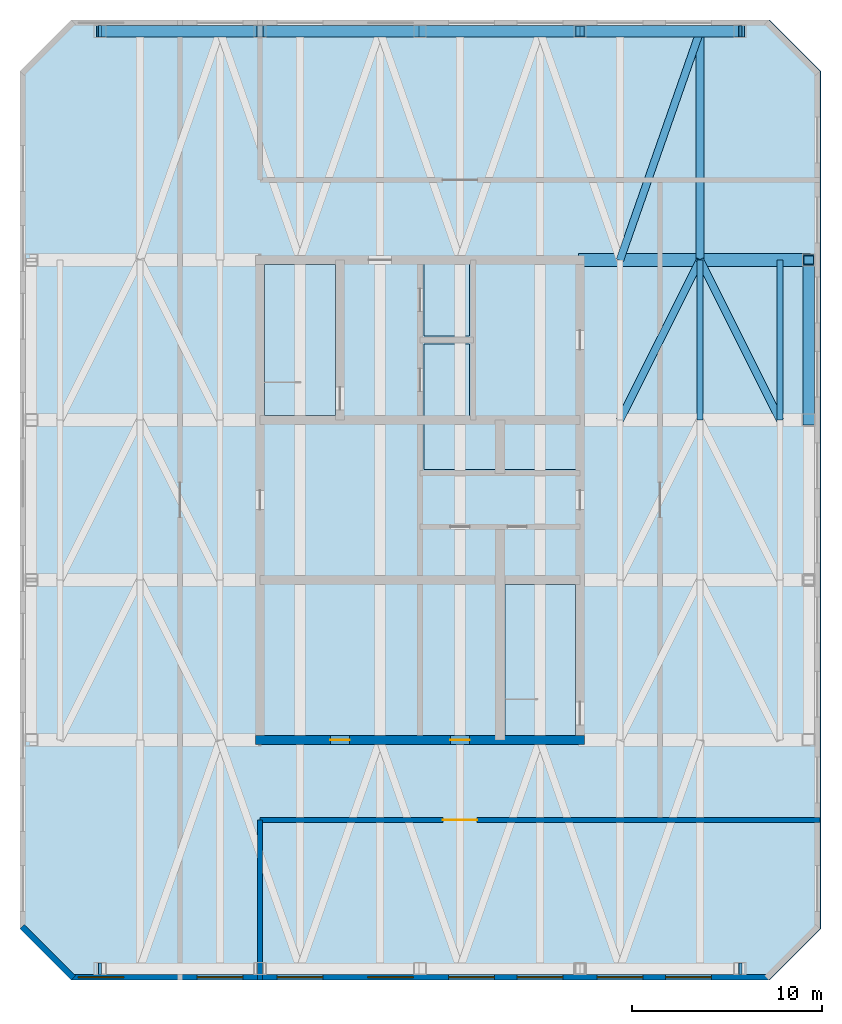
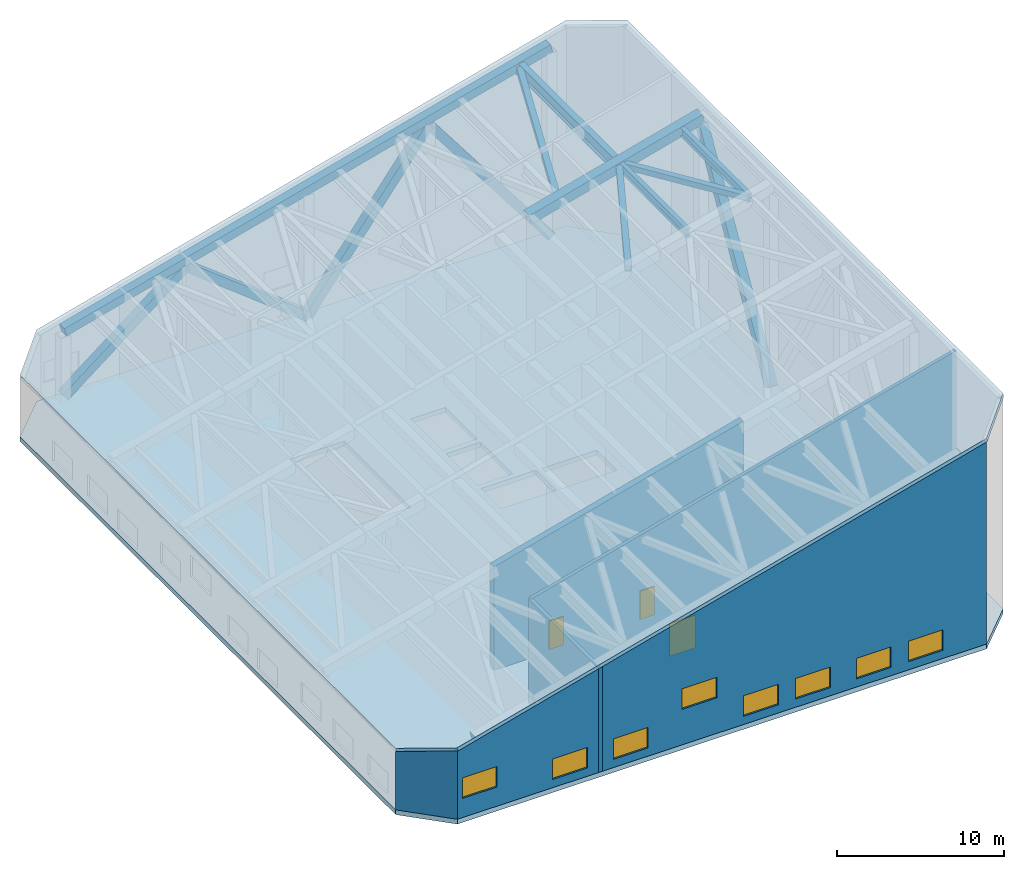
# One storey, part 2 of 5: 15 members, 8 windows, 5 walls, 3 doors, 2 beams, 2 slabs, 11 openings.
"""IFC4 building model written with IfcOpenShell, lengths in metres."""

from ifc_helpers import new_model, si_unit, direction, frame, frame_2d, origin, origin_2d, place, context, subcontext, project, spatial, polyline, rectangle, hollow_rectangle, i_section, outline, extrude, material, layer, layer_set, material_profile, profile_set, type_object, element, fill, save


model = new_model("IFC4")

# Units and contexts
model_context = context("Model", 3, precision=1e-05, world=origin(), true_north=direction((0.0, 1.0)))
body_context = subcontext(model_context, "Body", "Model", "MODEL_VIEW")
ifc_project = project(units=[si_unit("LENGTHUNIT", "METRE"), si_unit("AREAUNIT", "SQUARE_METRE"), si_unit("VOLUMEUNIT", "CUBIC_METRE"), si_unit("PLANEANGLEUNIT", "RADIAN"), si_unit("MASSUNIT", "GRAM", prefix="KILO")], contexts=[model_context])

# Site, building, storey
site_placement = place(None, origin())
site = spatial("IfcSite", under=ifc_project, at=site_placement, CompositionType="ELEMENT")
building_placement = place(site_placement, origin())
building = spatial("IfcBuilding", under=site, at=building_placement, Name="Dunama Terrace Hotel", CompositionType="ELEMENT")
storey_placement = place(building_placement, frame((0.0, 0.0, 293.60009765625)))
storey = spatial("IfcBuildingStorey", under=building, at=storey_placement, Name="L75", CompositionType="ELEMENT", Elevation=293.60009765625)

# Members
ifc_material_1 = material(Name="Steel S355", Category="steel")
ifc_material_profile_1 = material_profile(ifc_material_1, hollow_rectangle(XDim=0.60009765625, YDim=0.60009765625, WallThickness=0.050048828125, at=origin_2d()), Name="BOX 600x600x50")
ifc_profile_set_1 = profile_set([ifc_material_profile_1], Name="Steel S355")
member_type_1 = type_object("IfcMemberType", Name="Brace BOX 600x600x50", PredefinedType="BRACE", material=ifc_profile_set_1)
member_1_placement = place(storey_placement, frame((16.800048828125, 54.0, 0.2998046875), z_axis=(0.788276481647, 0.0, 0.615321207568), x_axis=(0.0, 1.0, 0.0)))
element("IfcMember", 1, at=member_1_placement, inside=storey, type_object=member_type_1, Name="Crown brace", PredefinedType="BRACE", context=body_context, shape_type="SweptSolid", body=[
    extrude(hollow_rectangle(XDim=0.60009765625, YDim=0.60009765625, WallThickness=0.050048828125, at=origin_2d()), origin(), (0.0, 0.0, 1.0), 10.656005859375),
])
member_2_placement = place(storey_placement, frame((33.60009765625, 54.0, 0.2998046875), z_axis=(-0.788285155986, 0.0, 0.615310094873), x_axis=(0.0, -1.0, 0.0)))
element("IfcMember", 2, at=member_2_placement, inside=storey, type_object=member_type_1, Name="Crown brace", PredefinedType="BRACE", context=body_context, shape_type="SweptSolid", body=[
    extrude(hollow_rectangle(XDim=0.60009765625, YDim=0.60009765625, WallThickness=0.050048828125, at=origin_2d()), origin(), (0.0, 0.0, 1.0), 10.65625),
])
for number, where, z_axis, x_axis, name in (
    (3, (33.60009765625, 54.0, 0.2998046875), (0.604880428339, 0.0, 0.796316311156), (0.0, 1.0, 0.0), "Crown brace"),
    (4, (50.39990234375, 54.0, 0.2998046875), (-0.604880428339, 0.0, 0.796316311156), (0.0, -1.0, 0.0), "Crown brace"),
):
    element("IfcMember", number, at=place(storey_placement, frame(where, z_axis=z_axis, x_axis=x_axis)), inside=storey, type_object=member_type_1, Name=name, PredefinedType="BRACE", context=body_context, shape_type="SweptSolid", body=[
        extrude(hollow_rectangle(XDim=0.60009765625, YDim=0.60009765625, WallThickness=0.050048828125, at=origin_2d()), origin(), (0.0, 0.0, 1.0), 13.886962890625),
    ])
member_3_placement = place(storey_placement, frame((54.0, 33.60009765625, 0.2998046875), z_axis=(0.0, 0.509874694913, 0.860248682352), x_axis=(-1.0, 0.0, 0.0)))
element("IfcMember", 5, at=member_3_placement, inside=storey, type_object=member_type_1, Name="Crown brace", PredefinedType="BRACE", context=body_context, shape_type="SweptSolid", body=[
    extrude(hollow_rectangle(XDim=0.60009765625, YDim=0.60009765625, WallThickness=0.050048828125, at=origin_2d()), origin(), (0.0, 0.0, 1.0), 16.474365234375),
])
ifc_material_2 = material(Name="Steel S355", Category="steel")
ifc_material_profile_2 = material_profile(ifc_material_2, hollow_rectangle(XDim=0.39990234375, YDim=0.39990234375, WallThickness=0.02001953125, at=origin_2d()), Name="SHS 400x400x20")
ifc_profile_set_2 = profile_set([ifc_material_profile_2], Name="Steel S355")
member_type_2 = type_object("IfcMemberType", Name="Brace SHS 400x400x20", PredefinedType="BRACE", material=ifc_profile_set_2)
for number, where, z_axis, x_axis, name in (
    (6, (44.10009765625, 33.60009765625, 12.371337890625), (0.44403627598, 0.88807255196, 0.118991294092), (-0.894427191, 0.4472135955, 0.0), "Crown roof plan brace"),
    (7, (48.300048828125, 42.0, 13.496826171875), (0.44403627598, -0.88807255196, 0.118991294092), (0.894427191, 0.4472135955, 0.0), "Crown roof plan brace"),
):
    element("IfcMember", number, at=place(storey_placement, frame(where, z_axis=z_axis, x_axis=x_axis)), inside=storey, type_object=member_type_2, Name=name, PredefinedType="BRACE", context=body_context, shape_type="SweptSolid", body=[
        extrude(hollow_rectangle(XDim=0.39990234375, YDim=0.39990234375, WallThickness=0.02001953125, at=origin_2d()), origin(), (0.0, 0.0, 1.0), 9.45849609375),
    ])
member_4_placement = place(storey_placement, frame((44.10009765625, 42.0, 12.220947265625), z_axis=(0.329060143784, 0.940182769706, 0.088180390795), x_axis=(-0.943859553866, 0.330347003279, 0.0)))
element("IfcMember", 8, at=member_4_placement, inside=storey, type_object=member_type_2, Name="Crown roof plan brace", PredefinedType="BRACE", context=body_context, shape_type="SweptSolid", body=[
    extrude(hollow_rectangle(XDim=0.39990234375, YDim=0.39990234375, WallThickness=0.02001953125, at=origin_2d()), origin(), (0.0, 0.0, 1.0), 12.763427734375),
])
ifc_material_3 = material(Name="Steel S355", Category="steel")
ifc_material_profile_3 = material_profile(ifc_material_3, rectangle(XDim=0.60009765625, YDim=0.60009765625, at=origin_2d()), Name="PL 600X600")
ifc_profile_set_3 = profile_set([ifc_material_profile_3], Name="Steel S355")
member_type_3 = type_object("IfcMemberType", Name="End plate BOX 600x600x50", PredefinedType="MEMBER", material=ifc_profile_set_3)
member_5_placement = place(storey_placement, frame((16.77587890625, 4.800048828125, 5.04931640625), z_axis=(0.964763821238, 0.0, 0.263117405792), x_axis=(0.0, 1.0, 0.0)))
element("IfcMember", 9, at=member_5_placement, inside=storey, type_object=member_type_3, Name="Crown rafter end plate", PredefinedType="MEMBER", context=body_context, shape_type="SweptSolid", body=[
    extrude(rectangle(XDim=0.60009765625, YDim=0.60009765625, at=origin_2d()), origin(), (0.0, 0.0, 1.0), 0.025146484375),
])
member_6_placement = place(storey_placement, frame((50.39990234375, 4.800048828125, 14.05908203125), z_axis=(0.967200968303, 0.0, 0.254012375514), x_axis=(0.0, 1.0, 0.0)))
element("IfcMember", 10, at=member_6_placement, inside=storey, type_object=member_type_3, Name="Crown rafter end plate", PredefinedType="MEMBER", context=body_context, shape_type="SweptSolid", body=[
    extrude(rectangle(XDim=0.60009765625, YDim=0.60009765625, at=origin_2d()), origin(), (0.0, 0.0, 1.0), 0.02490234375),
])
member_7_placement = place(storey_placement, frame((16.77587890625, 54.0, 5.04931640625), z_axis=(0.964763821238, 0.0, 0.263117405792), x_axis=(0.0, 1.0, 0.0)))
element("IfcMember", 11, at=member_7_placement, inside=storey, type_object=member_type_3, Name="Crown rafter end plate", PredefinedType="MEMBER", context=body_context, shape_type="SweptSolid", body=[
    extrude(rectangle(XDim=0.60009765625, YDim=0.60009765625, at=origin_2d()), origin(), (0.0, 0.0, 1.0), 0.025146484375),
])
member_8_placement = place(storey_placement, frame((50.39990234375, 54.0, 14.05908203125), z_axis=(0.967200968303, 0.0, 0.254012375514), x_axis=(0.0, 1.0, 0.0)))
element("IfcMember", 12, at=member_8_placement, inside=storey, type_object=member_type_3, Name="Crown rafter end plate", PredefinedType="MEMBER", context=body_context, shape_type="SweptSolid", body=[
    extrude(rectangle(XDim=0.60009765625, YDim=0.60009765625, at=origin_2d()), origin(), (0.0, 0.0, 1.0), 0.02490234375),
])
ifc_material_4 = material(Name="Steel S355", Category="steel")
ifc_material_profile_4 = material_profile(ifc_material_4, i_section(OverallWidth=0.30712890625, OverallDepth=0.6201171875, WebThickness=0.01416015625, FlangeThickness=0.023681640625, FilletRadius=0.0166015625, at=origin_2d()), Name="UB 610x305x179")
ifc_profile_set_4 = profile_set([ifc_material_profile_4], Name="Steel S355")
member_type_4 = type_object("IfcMemberType", Name="Purlin UB 610x305x179", PredefinedType="PURLIN", material=ifc_profile_set_4)
for number, where, z_axis, x_axis, name in (
    (13, (48.300048828125, 33.60009765625, 13.45556640625), (0.0, 1.0, 0.0), (-1.0, 0.0, 0.0), "Crown purlin"),
    (14, (52.5, 33.60009765625, 14.5810546875), (0.0, 1.0, 0.0), (-1.0, 0.0, 0.0), "Crown purlin"),
):
    element("IfcMember", number, at=place(storey_placement, frame(where, z_axis=z_axis, x_axis=x_axis)), inside=storey, type_object=member_type_4, Name=name, PredefinedType="PURLIN", context=body_context, shape_type="SweptSolid", body=[
        extrude(i_section(OverallWidth=0.30712890625, OverallDepth=0.6201171875, WebThickness=0.01416015625, FlangeThickness=0.023681640625, FilletRadius=0.0166015625, at=origin_2d()), origin(), (0.0, 0.0, 1.0), 8.39990234375),
    ])
ifc_material_5 = material(Name="Steel S355", Category="steel")
ifc_material_profile_5 = material_profile(ifc_material_5, i_section(OverallWidth=0.42041015625, OverallDepth=0.9208984375, WebThickness=0.021484375, FlangeThickness=0.03662109375, FilletRadius=0.024169921875, at=origin_2d()), Name="UB 914x419x388")
ifc_profile_set_5 = profile_set([ifc_material_profile_5], Name="Steel S355")
member_type_5 = type_object("IfcMemberType", Name="Purlin UB 914x419x388", PredefinedType="PURLIN", material=ifc_profile_set_5)
member_9_placement = place(storey_placement, frame((48.300048828125, 42.0, 13.2900390625), z_axis=(0.0, 1.0, 0.0), x_axis=(-1.0, 0.0, 0.0)))
element("IfcMember", 15, at=member_9_placement, inside=storey, type_object=member_type_5, Name="Crown purlin", PredefinedType="PURLIN", context=body_context, shape_type="SweptSolid", body=[
    extrude(i_section(OverallWidth=0.42041015625, OverallDepth=0.9208984375, WebThickness=0.021484375, FlangeThickness=0.03662109375, FilletRadius=0.024169921875, at=origin_2d()), origin(), (0.0, 0.0, 1.0), 12.0),
])

# Beams
ifc_material_6 = material(Name="Steel S355", Category="steel")
ifc_material_profile_6 = material_profile(ifc_material_6, hollow_rectangle(XDim=0.60009765625, YDim=0.60009765625, WallThickness=0.050048828125, at=origin_2d()), Name="BOX 600x600x50")
ifc_profile_set_6 = profile_set([ifc_material_profile_6], Name="Steel S355")
beam_type_1 = type_object("IfcBeamType", Name="Steel beam BOX 600x600x50", PredefinedType="BEAM", material=ifc_profile_set_6)
beam_1_placement = place(storey_placement, frame((16.800048828125, 54.0, 5.055908203125), z_axis=(0.965924962317, 0.0, 0.258822269467), x_axis=(0.0, 1.0, 0.0)))
element("IfcBeam", 16, at=beam_1_placement, inside=storey, type_object=beam_type_1, Name="Crown rafter", PredefinedType="BEAM", context=body_context, shape_type="SweptSolid", body=[
    extrude(hollow_rectangle(XDim=0.60009765625, YDim=0.60009765625, WallThickness=0.050048828125, at=origin_2d()), origin(), (0.0, 0.0, 1.0), 34.78515625),
])
ifc_material_7 = material(Name="Steel S355", Category="steel")
ifc_material_profile_7 = material_profile(ifc_material_7, hollow_rectangle(XDim=0.699951171875, YDim=0.699951171875, WallThickness=0.06005859375, at=origin_2d()), Name="BOX 700x700x60")
ifc_profile_set_7 = profile_set([ifc_material_profile_7], Name="Steel S355")
beam_type_2 = type_object("IfcBeamType", Name="Steel beam BOX 700x700x60", PredefinedType="BEAM", material=ifc_profile_set_7)
beam_2_placement = place(storey_placement, frame((42.0, 42.0, 11.75634765625), z_axis=(0.965922086003, 0.0, 0.258833003637), x_axis=(0.0, 1.0, 0.0)))
element("IfcBeam", 17, at=beam_2_placement, inside=storey, type_object=beam_type_2, Name="Crown rafter", PredefinedType="BEAM", context=body_context, shape_type="SweptSolid", body=[
    extrude(hollow_rectangle(XDim=0.699951171875, YDim=0.699951171875, WallThickness=0.06005859375, at=origin_2d()), origin(), (0.0, 0.0, 1.0), 12.42333984375),
])

# Slabs
ifc_material_8 = material(Name="Concrete C40/50", Category="concrete")
ifc_layer_1 = layer(ifc_material_8, 0.25)
ifc_layer_set_1 = layer_set([ifc_layer_1], Name="Crown roof deck 250")
slab_type_1 = type_object("IfcSlabType", Name="Crown roof deck 250", PredefinedType="ROOF", material=ifc_layer_set_1)
slab_1_placement = place(storey_placement, frame((15.300048828125, 4.199951171875, 5.223388671875), z_axis=(-0.258819847479, 0.0, 0.965925611293), x_axis=(0.965925611293, 0.0, 0.258819847479)))
element("IfcSlab", 18, at=slab_1_placement, inside=storey, type_object=slab_type_1, Name="Crown roof deck", PredefinedType="ROOF", context=body_context, shape_type="SweptSolid", body=[
    extrude(outline(polyline([(0.0, 0.0), (37.89095229958221, 0.0), (40.68643064158018, 2.6999511718749996), (40.68643064158018, 47.69995117187499), (37.89095229958221, 50.40014648437499), (0.0, 50.40014648437499), (-2.795179331876205, 47.69995117187499), (-2.795179331876205, 2.6999511718749996), (0.0, 0.0)])), origin(), (0.0, 0.0, -1.0), 0.25),
])
ifc_material_9 = material(Name="Concrete C40/50", Category="concrete")
ifc_layer_2 = layer(ifc_material_9, 0.35009765625)
ifc_layer_set_2 = layer_set([ifc_layer_2], Name="Flat plate 350")
slab_type_2 = type_object("IfcSlabType", Name="Flat plate 350", PredefinedType="FLOOR", material=ifc_layer_set_2)
slab_2_placement = place(storey_placement, frame((0.0, 0.0, -0.35009765625)))
element("IfcSlab", 19, at=slab_2_placement, inside=storey, type_object=slab_type_2, Name="Crown floor slab", PredefinedType="FLOOR", context=body_context, shape_type="SweptSolid", body=[
    extrude(outline(polyline([(15.300048828125, 4.199951171875), (51.89990234375, 4.199951171875), (54.60009765625, 6.89990234375), (54.60009765625, 51.89990234375), (51.89990234375, 54.60009765625), (15.300048828125, 54.60009765625), (12.60009765625, 51.89990234375), (12.60009765625, 6.89990234375), (15.300048828125, 4.199951171875)]), holes=[polyline([(37.60009765625, 31.0), (37.60009765625, 33.39990234375), (33.800048828125, 33.39990234375), (33.800048828125, 31.0), (37.60009765625, 31.0)]), polyline([(41.800048828125, 31.0), (41.800048828125, 33.39990234375), (38.0, 33.39990234375), (38.0, 31.0), (41.800048828125, 31.0)]), polyline([(36.199951171875, 38.0), (36.199951171875, 41.800048828125), (33.800048828125, 41.800048828125), (33.800048828125, 38.0), (36.199951171875, 38.0)]), polyline([(36.199951171875, 33.800048828125), (36.199951171875, 37.60009765625), (33.800048828125, 37.60009765625), (33.800048828125, 33.800048828125), (36.199951171875, 33.800048828125)]), polyline([(29.175048828125, 33.824951171875), (29.175048828125, 41.77490234375), (25.425048828125, 41.77490234375), (25.425048828125, 33.824951171875), (29.175048828125, 33.824951171875)]), polyline([(41.77490234375, 17.02490234375), (41.77490234375, 24.97509765625), (38.050048828125, 24.97509765625), (38.050048828125, 17.02490234375), (41.77490234375, 17.02490234375)])]), origin(), (0.0, 0.0, 1.0), 0.35009765625),
])

# Wall, openings, doors
ifc_material_10 = material(Name="Concrete C50/60", Category="concrete")
ifc_layer_3 = layer(ifc_material_10, 0.449951171875)
ifc_layer_set_3 = layer_set([ifc_layer_3], Name="Core wall 450")
wall_type_1 = type_object("IfcWallType", Name="Core wall 450", PredefinedType="SHEAR", material=ifc_layer_set_3)
wall_1_placement = place(storey_placement, frame((24.97509765625, 16.800048828125, -0.35009765625), z_axis=(0.0, 0.0, 1.0), x_axis=(1.0, 0.0, 0.0)))
wall_1 = element("IfcWall", 20, at=wall_1_placement, inside=storey, type_object=wall_type_1, Name="Core wall south L75", PredefinedType="SHEAR", context=body_context, shape_type="SweptSolid", body=[
    extrude(outline(polyline([(0.0, 0.0), (17.25, 0.0), (17.25, 12.529296875), (0.0, 7.906982421875), (0.0, 0.0)])), frame((0.0, 0.22509765625, 0.0), z_axis=(0.0, -1.0, 0.0), x_axis=(1.0, 0.0, 0.0)), (0.0, 0.0, 1.0), 0.449951171875),
])
opening_1_placement = place(wall_1_placement, frame((3.925048828125, 0.0, 0.35009765625)))
opening_1 = element("IfcOpeningElement", 21, at=opening_1_placement, cuts=wall_1, Name="Opening L75-011", PredefinedType="OPENING", context=body_context, shape_type="SweptSolid", body=[
    extrude(rectangle(XDim=1.0, YDim=2.10009765625, at=frame_2d((0.5, 1.050048828125))), frame((0.0, 0.23486328125, 0.0), z_axis=(0.0, -1.0, 0.0), x_axis=(1.0, 0.0, 0.0)), (0.0, 0.0, 1.0), 0.469970703125),
])
opening_2_placement = place(wall_1_placement, frame((10.22509765625, 0.0, 0.35009765625)))
opening_2 = element("IfcOpeningElement", 22, at=opening_2_placement, cuts=wall_1, Name="Opening L75-012", PredefinedType="OPENING", context=body_context, shape_type="SweptSolid", body=[
    extrude(rectangle(XDim=1.0, YDim=2.10009765625, at=frame_2d((0.5, 1.050048828125))), frame((0.0, 0.23486328125, 0.0), z_axis=(0.0, -1.0, 0.0), x_axis=(1.0, 0.0, 0.0)), (0.0, 0.0, 1.0), 0.469970703125),
])
ifc_material_11 = material(Name="Timber door with steel frame", Category="steel")
door_type_1 = type_object("IfcDoorType", Name="Service door 1000", OperationType="SINGLE_SWING_LEFT", PredefinedType="DOOR", material=ifc_material_11)
door_1_placement = place(opening_1_placement, origin())
door_1 = element("IfcDoor", 23, at=door_1_placement, inside=storey, type_object=door_type_1, Name="Door to floor air handling room L75-011, type D7", OperationType="SINGLE_SWING_LEFT", OverallHeight=2.10009765625, OverallWidth=1.0, PredefinedType="DOOR", context=body_context, shape_type="SweptSolid", body=[
    extrude(rectangle(XDim=1.0, YDim=2.10009765625, at=frame_2d((0.5, 1.050048828125))), frame((0.0, 0.02490234375, 0.0), z_axis=(0.0, -1.0, 0.0), x_axis=(1.0, 0.0, 0.0)), (0.0, 0.0, 1.0), 0.050048828125),
])
fill(opening_1, door_1)
door_2_placement = place(opening_2_placement, origin())
door_2 = element("IfcDoor", 24, at=door_2_placement, inside=storey, type_object=door_type_1, Name="Door to water riser room L75-012, type D7", OperationType="SINGLE_SWING_RIGHT", OverallHeight=2.10009765625, OverallWidth=1.0, PredefinedType="DOOR", context=body_context, shape_type="SweptSolid", body=[
    extrude(rectangle(XDim=1.0, YDim=2.10009765625, at=frame_2d((0.5, 1.050048828125))), frame((0.0, 0.02490234375, 0.0), z_axis=(0.0, -1.0, 0.0), x_axis=(1.0, 0.0, 0.0)), (0.0, 0.0, 1.0), 0.050048828125),
])
fill(opening_2, door_2)

# Wall, openings, windows
ifc_material_12 = material(Name="Granite-faced concrete blockwork", Category="masonry")
ifc_layer_4 = layer(ifc_material_12, 0.300048828125)
ifc_layer_set_4 = layer_set([ifc_layer_4], Name="Crown screen wall 300")
wall_type_2 = type_object("IfcWallType", Name="Crown screen wall 300", PredefinedType="SOLIDWALL", material=ifc_layer_set_4)
wall_2_placement = place(storey_placement, frame((15.300048828125, 4.35009765625, 0.0), z_axis=(0.0, 0.0, 1.0), x_axis=(1.0, 0.0, 0.0)))
wall_2 = element("IfcWall", 25, at=wall_2_placement, inside=storey, type_object=wall_type_2, Name="Crown screen wall 300 L75", PredefinedType="SOLIDWALL", context=body_context, shape_type="SweptSolid", body=[
    extrude(outline(polyline([(0.0, 0.0), (36.599853515625, 0.0), (36.60009765625, 14.771484375), (0.0, 4.964599609375), (0.0, 0.0)])), frame((0.0, 0.14990234375, 0.0), z_axis=(0.0, -1.0, 0.0), x_axis=(1.0, 0.0, 0.0)), (0.0, 0.0, 1.0), 0.300048828125),
])
opening_3_placement = place(wall_2_placement, frame((0.35009765625, 0.0, 1.39990234375)))
opening_3 = element("IfcOpeningElement", 26, at=opening_3_placement, cuts=wall_2, Name="Opening W3", PredefinedType="OPENING", context=body_context, shape_type="SweptSolid", body=[
    extrude(rectangle(XDim=2.39990234375, YDim=1.5, at=frame_2d((1.199951171875, 0.75))), frame((0.0, 0.159912109375, 0.0), z_axis=(0.0, -1.0, 0.0), x_axis=(1.0, 0.0, 0.0)), (0.0, 0.0, 1.0), 0.320068359375),
])
opening_4_placement = place(wall_2_placement, frame((6.60009765625, 0.0, 0.60009765625)))
opening_4 = element("IfcOpeningElement", 27, at=opening_4_placement, cuts=wall_2, Name="Opening W3", PredefinedType="OPENING", context=body_context, shape_type="SweptSolid", body=[
    extrude(rectangle(XDim=2.39990234375, YDim=1.5, at=frame_2d((1.199951171875, 0.75))), frame((0.0, 0.159912109375, 0.0), z_axis=(0.0, -1.0, 0.0), x_axis=(1.0, 0.0, 0.0)), (0.0, 0.0, 1.0), 0.320068359375),
])
opening_5_placement = place(wall_2_placement, frame((10.800048828125, 0.0, 0.60009765625)))
opening_5 = element("IfcOpeningElement", 28, at=opening_5_placement, cuts=wall_2, Name="Opening W3", PredefinedType="OPENING", context=body_context, shape_type="SweptSolid", body=[
    extrude(rectangle(XDim=2.39990234375, YDim=1.5, at=frame_2d((1.199951171875, 0.75))), frame((0.0, 0.159912109375, 0.0), z_axis=(0.0, -1.0, 0.0), x_axis=(1.0, 0.0, 0.0)), (0.0, 0.0, 1.0), 0.320068359375),
])
opening_6_placement = place(wall_2_placement, frame((15.550048828125, 0.0, 2.60009765625)))
opening_6 = element("IfcOpeningElement", 29, at=opening_6_placement, cuts=wall_2, Name="Opening W3", PredefinedType="OPENING", context=body_context, shape_type="SweptSolid", body=[
    extrude(rectangle(XDim=2.39990234375, YDim=1.5, at=frame_2d((1.199951171875, 0.75))), frame((0.0, 0.159912109375, 0.0), z_axis=(0.0, -1.0, 0.0), x_axis=(1.0, 0.0, 0.0)), (0.0, 0.0, 1.0), 0.320068359375),
])
opening_7_placement = place(wall_2_placement, frame((19.800048828125, 0.0, 0.60009765625)))
opening_7 = element("IfcOpeningElement", 30, at=opening_7_placement, cuts=wall_2, Name="Opening W3", PredefinedType="OPENING", context=body_context, shape_type="SweptSolid", body=[
    extrude(rectangle(XDim=2.39990234375, YDim=1.5, at=frame_2d((1.199951171875, 0.75))), frame((0.0, 0.159912109375, 0.0), z_axis=(0.0, -1.0, 0.0), x_axis=(1.0, 0.0, 0.0)), (0.0, 0.0, 1.0), 0.320068359375),
])
opening_8_placement = place(wall_2_placement, frame((23.39990234375, 0.0, 0.60009765625)))
opening_8 = element("IfcOpeningElement", 31, at=opening_8_placement, cuts=wall_2, Name="Opening W3", PredefinedType="OPENING", context=body_context, shape_type="SweptSolid", body=[
    extrude(rectangle(XDim=2.39990234375, YDim=1.5, at=frame_2d((1.199951171875, 0.75))), frame((0.0, 0.159912109375, 0.0), z_axis=(0.0, -1.0, 0.0), x_axis=(1.0, 0.0, 0.0)), (0.0, 0.0, 1.0), 0.320068359375),
])
opening_9_placement = place(wall_2_placement, frame((27.60009765625, 0.0, 0.60009765625)))
opening_9 = element("IfcOpeningElement", 32, at=opening_9_placement, cuts=wall_2, Name="Opening W3", PredefinedType="OPENING", context=body_context, shape_type="SweptSolid", body=[
    extrude(rectangle(XDim=2.39990234375, YDim=1.5, at=frame_2d((1.199951171875, 0.75))), frame((0.0, 0.159912109375, 0.0), z_axis=(0.0, -1.0, 0.0), x_axis=(1.0, 0.0, 0.0)), (0.0, 0.0, 1.0), 0.320068359375),
])
opening_10_placement = place(wall_2_placement, frame((31.199951171875, 0.0, 0.60009765625)))
opening_10 = element("IfcOpeningElement", 33, at=opening_10_placement, cuts=wall_2, Name="Opening W3", PredefinedType="OPENING", context=body_context, shape_type="SweptSolid", body=[
    extrude(rectangle(XDim=2.39990234375, YDim=1.5, at=frame_2d((1.199951171875, 0.75))), frame((0.0, 0.159912109375, 0.0), z_axis=(0.0, -1.0, 0.0), x_axis=(1.0, 0.0, 0.0)), (0.0, 0.0, 1.0), 0.320068359375),
])
ifc_material_13 = material(Name="Aluminium louvre blades in a steel frame", Category="steel")
window_type = type_object("IfcWindowType", Name="Crown louvre 2400", PartitioningType="SINGLE_PANEL", PredefinedType="WINDOW", material=ifc_material_13)
window_1_placement = place(opening_3_placement, origin())
window_1 = element("IfcWindow", 34, at=window_1_placement, inside=storey, type_object=window_type, Name="Crown louvre 2400 L75", OverallHeight=1.5, OverallWidth=2.39990234375, PartitioningType="SINGLE_PANEL", PredefinedType="WINDOW", context=body_context, shape_type="SweptSolid", body=[
    extrude(rectangle(XDim=2.39990234375, YDim=1.5, at=frame_2d((1.199951171875, 0.75))), frame((0.0, 0.030029296875, 0.0), z_axis=(0.0, -1.0, 0.0), x_axis=(1.0, 0.0, 0.0)), (0.0, 0.0, 1.0), 0.06005859375),
])
fill(opening_3, window_1)
window_2_placement = place(opening_4_placement, origin())
window_2 = element("IfcWindow", 35, at=window_2_placement, inside=storey, type_object=window_type, Name="Crown louvre 2400 L75", OverallHeight=1.5, OverallWidth=2.39990234375, PartitioningType="SINGLE_PANEL", PredefinedType="WINDOW", context=body_context, shape_type="SweptSolid", body=[
    extrude(rectangle(XDim=2.39990234375, YDim=1.5, at=frame_2d((1.199951171875, 0.75))), frame((0.0, 0.030029296875, 0.0), z_axis=(0.0, -1.0, 0.0), x_axis=(1.0, 0.0, 0.0)), (0.0, 0.0, 1.0), 0.06005859375),
])
fill(opening_4, window_2)
window_3_placement = place(opening_5_placement, origin())
window_3 = element("IfcWindow", 36, at=window_3_placement, inside=storey, type_object=window_type, Name="Crown louvre 2400 L75", OverallHeight=1.5, OverallWidth=2.39990234375, PartitioningType="SINGLE_PANEL", PredefinedType="WINDOW", context=body_context, shape_type="SweptSolid", body=[
    extrude(rectangle(XDim=2.39990234375, YDim=1.5, at=frame_2d((1.199951171875, 0.75))), frame((0.0, 0.030029296875, 0.0), z_axis=(0.0, -1.0, 0.0), x_axis=(1.0, 0.0, 0.0)), (0.0, 0.0, 1.0), 0.06005859375),
])
fill(opening_5, window_3)
window_4_placement = place(opening_6_placement, origin())
window_4 = element("IfcWindow", 37, at=window_4_placement, inside=storey, type_object=window_type, Name="Crown louvre 2400 L75", OverallHeight=1.5, OverallWidth=2.39990234375, PartitioningType="SINGLE_PANEL", PredefinedType="WINDOW", context=body_context, shape_type="SweptSolid", body=[
    extrude(rectangle(XDim=2.39990234375, YDim=1.5, at=frame_2d((1.199951171875, 0.75))), frame((0.0, 0.030029296875, 0.0), z_axis=(0.0, -1.0, 0.0), x_axis=(1.0, 0.0, 0.0)), (0.0, 0.0, 1.0), 0.06005859375),
])
fill(opening_6, window_4)
window_5_placement = place(opening_7_placement, origin())
window_5 = element("IfcWindow", 38, at=window_5_placement, inside=storey, type_object=window_type, Name="Crown louvre 2400 L75", OverallHeight=1.5, OverallWidth=2.39990234375, PartitioningType="SINGLE_PANEL", PredefinedType="WINDOW", context=body_context, shape_type="SweptSolid", body=[
    extrude(rectangle(XDim=2.39990234375, YDim=1.5, at=frame_2d((1.199951171875, 0.75))), frame((0.0, 0.030029296875, 0.0), z_axis=(0.0, -1.0, 0.0), x_axis=(1.0, 0.0, 0.0)), (0.0, 0.0, 1.0), 0.06005859375),
])
fill(opening_7, window_5)
window_6_placement = place(opening_8_placement, origin())
window_6 = element("IfcWindow", 39, at=window_6_placement, inside=storey, type_object=window_type, Name="Crown louvre 2400 L75", OverallHeight=1.5, OverallWidth=2.39990234375, PartitioningType="SINGLE_PANEL", PredefinedType="WINDOW", context=body_context, shape_type="SweptSolid", body=[
    extrude(rectangle(XDim=2.39990234375, YDim=1.5, at=frame_2d((1.199951171875, 0.75))), frame((0.0, 0.030029296875, 0.0), z_axis=(0.0, -1.0, 0.0), x_axis=(1.0, 0.0, 0.0)), (0.0, 0.0, 1.0), 0.06005859375),
])
fill(opening_8, window_6)
window_7_placement = place(opening_9_placement, origin())
window_7 = element("IfcWindow", 40, at=window_7_placement, inside=storey, type_object=window_type, Name="Crown louvre 2400 L75", OverallHeight=1.5, OverallWidth=2.39990234375, PartitioningType="SINGLE_PANEL", PredefinedType="WINDOW", context=body_context, shape_type="SweptSolid", body=[
    extrude(rectangle(XDim=2.39990234375, YDim=1.5, at=frame_2d((1.199951171875, 0.75))), frame((0.0, 0.030029296875, 0.0), z_axis=(0.0, -1.0, 0.0), x_axis=(1.0, 0.0, 0.0)), (0.0, 0.0, 1.0), 0.06005859375),
])
fill(opening_9, window_7)
window_8_placement = place(opening_10_placement, origin())
window_8 = element("IfcWindow", 41, at=window_8_placement, inside=storey, type_object=window_type, Name="Crown louvre 2400 L75", OverallHeight=1.5, OverallWidth=2.39990234375, PartitioningType="SINGLE_PANEL", PredefinedType="WINDOW", context=body_context, shape_type="SweptSolid", body=[
    extrude(rectangle(XDim=2.39990234375, YDim=1.5, at=frame_2d((1.199951171875, 0.75))), frame((0.0, 0.030029296875, 0.0), z_axis=(0.0, -1.0, 0.0), x_axis=(1.0, 0.0, 0.0)), (0.0, 0.0, 1.0), 0.06005859375),
])
fill(opening_10, window_8)

# Walls
wall_3_placement = place(storey_placement, frame((12.7060546875, 7.006103515625, 0.0), z_axis=(0.0, 0.0, 1.0), x_axis=(0.707074812166, -0.707138748762, 0.0)))
element("IfcWall", 42, at=wall_3_placement, inside=storey, type_object=wall_type_2, Name="Crown screen wall 300 L75", PredefinedType="SOLIDWALL", context=body_context, shape_type="SweptSolid", body=[
    extrude(outline(polyline([(0.0, 0.0), (3.818359375, 0.0), (3.818359375, 4.992919921875), (0.0, 4.26953125), (0.0, 0.0)])), frame((0.0, 0.14990234375, 0.0), z_axis=(0.0, -1.0, 0.0), x_axis=(1.0, 0.0, 0.0)), (0.0, 0.0, 1.0), 0.300048828125),
])
ifc_material_14 = material(Name="Concrete blockwork", Category="masonry")
ifc_layer_5 = layer(ifc_material_14, 0.25)
ifc_layer_set_5 = layer_set([ifc_layer_5], Name="Plant room wall 250")
wall_type_3 = type_object("IfcWallType", Name="Plant room wall 250", PredefinedType="PARTITIONING", material=ifc_layer_set_5)
wall_4_placement = place(storey_placement, frame((25.199951171875, 4.199951171875, 0.0), z_axis=(0.0, 0.0, 1.0), x_axis=(0.0, 1.0, 0.0)))
element("IfcWall", 43, at=wall_4_placement, inside=storey, type_object=wall_type_3, Name="Plant room wall 250 L75", PredefinedType="PARTITIONING", context=body_context, shape_type="SweptSolid", body=[
    extrude(outline(polyline([(0.0, 0.0), (8.400146484375, 0.0), (8.39990234375, 7.6171875), (0.0, 7.6171875), (0.0, 0.0)])), frame((0.0, 0.125, 0.0), z_axis=(0.0, -1.0, 0.0), x_axis=(1.0, 0.0, 0.0)), (0.0, 0.0, 1.0), 0.25),
])

# Wall, opening, door
wall_5_placement = place(storey_placement, frame((25.199951171875, 12.60009765625, 0.0), z_axis=(0.0, 0.0, 1.0), x_axis=(1.0, 0.0, 0.0)))
wall_5 = element("IfcWall", 44, at=wall_5_placement, inside=storey, type_object=wall_type_3, Name="Plant room wall 250 L75", PredefinedType="PARTITIONING", context=body_context, shape_type="SweptSolid", body=[
    extrude(outline(polyline([(0.0, 0.0), (29.400146484375, 0.0), (29.39990234375, 15.494873046875), (0.0, 7.6171875), (0.0, 0.0)])), frame((0.0, 0.125, 0.0), z_axis=(0.0, -1.0, 0.0), x_axis=(1.0, 0.0, 0.0)), (0.0, 0.0, 1.0), 0.25),
])
opening_11_placement = place(wall_5_placement, frame((9.60009765625, 0.0, 0.0)))
opening_11 = element("IfcOpeningElement", 45, at=opening_11_placement, cuts=wall_5, Name="Opening L75-013", PredefinedType="OPENING", context=body_context, shape_type="SweptSolid", body=[
    extrude(rectangle(XDim=1.800048828125, YDim=2.39990234375, at=frame_2d((0.89990234375, 1.199951171875))), frame((0.0, 0.135009765625, 0.0), z_axis=(0.0, -1.0, 0.0), x_axis=(1.0, 0.0, 0.0)), (0.0, 0.0, 1.0), 0.27001953125),
])
ifc_material_15 = material(Name="Timber door with steel frame", Category="steel")
door_type_2 = type_object("IfcDoorType", Name="Plant room double door 1800", OperationType="DOUBLE_DOOR_DOUBLE_SWING", PredefinedType="DOOR", material=ifc_material_15)
door_3_placement = place(opening_11_placement, origin())
door_3 = element("IfcDoor", 46, at=door_3_placement, inside=storey, type_object=door_type_2, Name="Door to electrical switch and controller room L75-013, type D9", OperationType="DOUBLE_DOOR_DOUBLE_SWING", OverallHeight=2.39990234375, OverallWidth=1.800048828125, PredefinedType="DOOR", context=body_context, shape_type="SweptSolid", body=[
    extrude(rectangle(XDim=1.800048828125, YDim=2.39990234375, at=frame_2d((0.89990234375, 1.199951171875))), frame((0.0, 0.02490234375, 0.0), z_axis=(0.0, -1.0, 0.0), x_axis=(1.0, 0.0, 0.0)), (0.0, 0.0, 1.0), 0.050048828125),
])
fill(opening_11, door_3)

save(model, "model.ifc")
